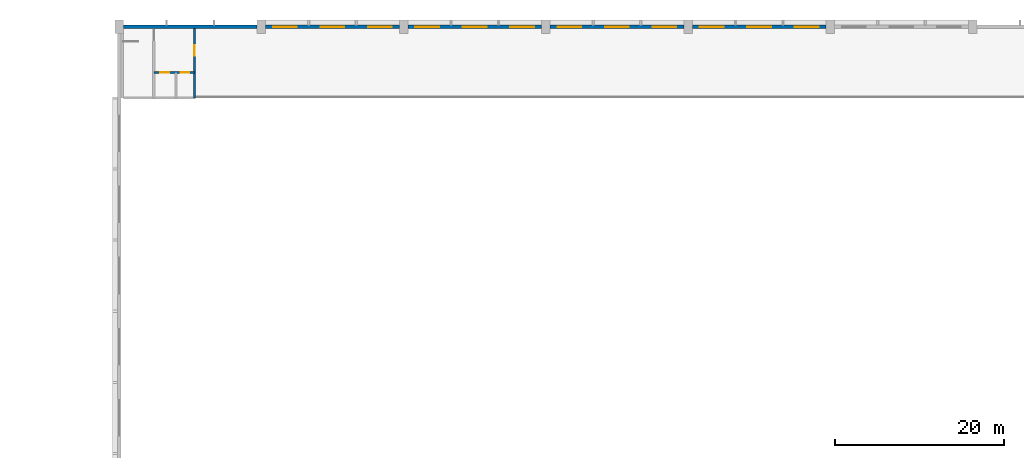
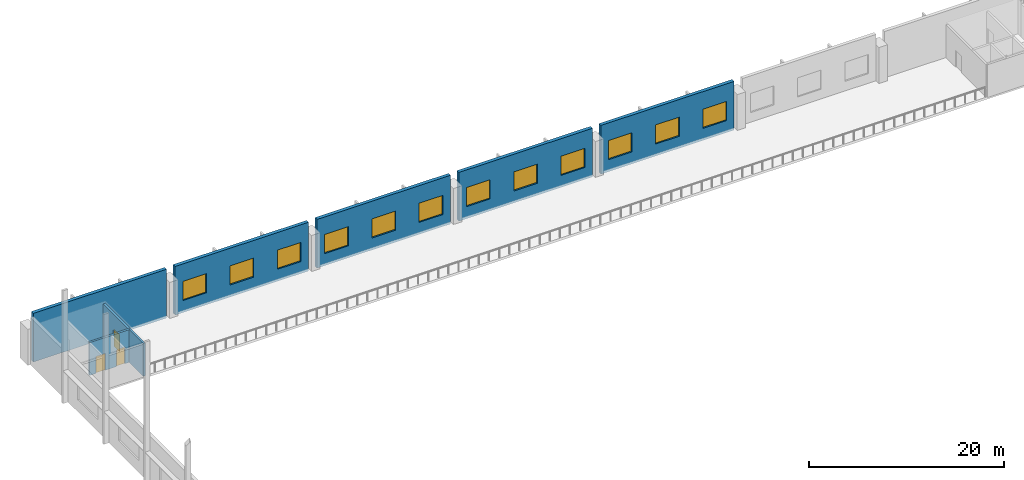
# One storey, part 92 of 162: 12 windows, 7 walls, 3 doors, 15 openings.
"""IFC4 building model written with IfcOpenShell, lengths in metres."""

from ifc_helpers import new_model, si_unit, direction, frame, frame_2d, origin, place, context, subcontext, project, spatial, rectangle, extrude, material, layer, layer_set, type_object, element, fill, save


model = new_model("IFC4")

# Units and contexts
model_context = context("Model", 3, precision=1e-05, world=origin(), true_north=direction((0.0, 1.0)))
body_context = subcontext(model_context, "Body", "Model", "MODEL_VIEW")
ifc_project = project(units=[si_unit("LENGTHUNIT", "METRE"), si_unit("AREAUNIT", "SQUARE_METRE"), si_unit("VOLUMEUNIT", "CUBIC_METRE"), si_unit("PLANEANGLEUNIT", "RADIAN"), si_unit("MASSUNIT", "GRAM", prefix="KILO")], contexts=[model_context])

# Site, building, storey
site_placement = place(None, origin())
site = spatial("IfcSite", under=ifc_project, at=site_placement, CompositionType="ELEMENT")
building_placement = place(site_placement, origin())
building = spatial("IfcBuilding", under=site, at=building_placement, Name="Rain Tree Exposition and Congress Centre", CompositionType="ELEMENT")
storey_placement = place(building_placement, frame((0.0, 0.0, 6.0)))
storey = spatial("IfcBuildingStorey", under=building, at=storey_placement, Name="L01", CompositionType="ELEMENT", Elevation=6.0)

# Wall, opening, door
ifc_material_1 = material(Name="Concrete C40/50", Category="concrete")
ifc_layer_1 = layer(ifc_material_1, 0.25)
ifc_layer_set_1 = layer_set([ifc_layer_1], Name="Concrete C40/50")
wall_type_1 = type_object("IfcWallType", Name="Core wall 250", PredefinedType="SHEAR", material=ifc_layer_set_1)
wall_1_placement = place(storey_placement, frame((17.300048828125, 201.39990234375, 0.0), z_axis=(0.0, 0.0, 1.0), x_axis=(0.0, -1.0, 0.0)))
wall_1 = element("IfcWall", 1, at=wall_1_placement, inside=storey, type_object=wall_type_1, Name="Core east wall 3", PredefinedType="SHEAR", context=body_context, shape_type="SweptSolid", body=[
    extrude(rectangle(XDim=8.199951171875, YDim=0.25, at=frame_2d((4.10009765625, 0.0))), origin(), (0.0, 0.0, 1.0), 4.10009765625),
])
opening_1_placement = place(wall_1_placement, frame((2.0, 0.0, 0.0)))
opening_1 = element("IfcOpeningElement", 2, at=opening_1_placement, cuts=wall_1, Name="Opening DH202", PredefinedType="OPENING", context=body_context, shape_type="SweptSolid", body=[
    extrude(rectangle(XDim=1.199951171875, YDim=2.10009765625, at=frame_2d((0.60009765625, 1.050048828125))), frame((0.0, 0.125, 0.0), z_axis=(0.0, -1.0, 0.0), x_axis=(1.0, 0.0, 0.0)), (0.0, 0.0, 1.0), 0.25),
])
ifc_material_2 = material(Name="Painted steel fire door", Category="steel")
door_type_1 = type_object("IfcDoorType", Name="Lobby fire door 1200x2100", OperationType="NOTDEFINED", PredefinedType="DOOR", material=ifc_material_2)
door_1_placement = place(opening_1_placement, origin())
door_1 = element("IfcDoor", 3, at=door_1_placement, inside=storey, type_object=door_type_1, Name="Door DH202", OperationType="SINGLE_SWING_LEFT", OverallHeight=2.10009765625, OverallWidth=1.199951171875, PredefinedType="DOOR", context=body_context, shape_type="SweptSolid", body=[
    extrude(rectangle(XDim=1.199951171875, YDim=2.10009765625, at=frame_2d((0.60009765625, 1.050048828125))), frame((0.0, 0.02490234375, 0.0), z_axis=(0.0, -1.0, 0.0), x_axis=(1.0, 0.0, 0.0)), (0.0, 0.0, 1.0), 0.050048828125),
])
fill(opening_1, door_1)

# Wall, openings, doors
wall_2_placement = place(storey_placement, frame((12.5, 196.199951171875, 0.0), z_axis=(0.0, 0.0, 1.0), x_axis=(1.0, 0.0, 0.0)))
wall_2 = element("IfcWall", 4, at=wall_2_placement, inside=storey, type_object=wall_type_1, Name="Lift lobby wall 3", PredefinedType="SHEAR", context=body_context, shape_type="SweptSolid", body=[
    extrude(rectangle(XDim=4.800048828125, YDim=0.25, at=frame_2d((2.39990234375, 0.0))), origin(), (0.0, 0.0, 1.0), 4.10009765625),
])
opening_2_placement = place(wall_2_placement, frame((0.75, 0.0, 0.0)))
opening_2 = element("IfcOpeningElement", 5, at=opening_2_placement, cuts=wall_2, Name="Opening DH203", PredefinedType="OPENING", context=body_context, shape_type="SweptSolid", body=[
    extrude(rectangle(XDim=1.10009765625, YDim=2.10009765625, at=frame_2d((0.550048828125, 1.050048828125))), frame((0.0, 0.125, 0.0), z_axis=(0.0, -1.0, 0.0), x_axis=(1.0, 0.0, 0.0)), (0.0, 0.0, 1.0), 0.25),
])
opening_3_placement = place(wall_2_placement, frame((3.199951171875, 0.0, 0.0)))
opening_3 = element("IfcOpeningElement", 6, at=opening_3_placement, cuts=wall_2, Name="Opening DH204", PredefinedType="OPENING", context=body_context, shape_type="SweptSolid", body=[
    extrude(rectangle(XDim=1.0, YDim=2.10009765625, at=frame_2d((0.5, 1.050048828125))), frame((0.0, 0.125, 0.0), z_axis=(0.0, -1.0, 0.0), x_axis=(1.0, 0.0, 0.0)), (0.0, 0.0, 1.0), 0.25),
])
ifc_material_3 = material(Name="Stainless steel", Category="steel")
door_type_2 = type_object("IfcDoorType", Name="Lift landing door 1100x2100", OperationType="DOUBLE_DOOR_SLIDING", PredefinedType="DOOR", material=ifc_material_3)
door_2_placement = place(opening_2_placement, origin())
door_2 = element("IfcDoor", 7, at=door_2_placement, inside=storey, type_object=door_type_2, Name="Door DH203", OperationType="DOUBLE_DOOR_SLIDING", OverallHeight=2.10009765625, OverallWidth=1.10009765625, PredefinedType="DOOR", context=body_context, shape_type="SweptSolid", body=[
    extrude(rectangle(XDim=1.10009765625, YDim=2.10009765625, at=frame_2d((0.550048828125, 1.050048828125))), frame((0.0, 0.02490234375, 0.0), z_axis=(0.0, -1.0, 0.0), x_axis=(1.0, 0.0, 0.0)), (0.0, 0.0, 1.0), 0.050048828125),
])
fill(opening_2, door_2)
ifc_material_4 = material(Name="Painted steel door", Category="steel")
door_type_3 = type_object("IfcDoorType", Name="Single leaf door 1000x2100", OperationType="NOTDEFINED", PredefinedType="DOOR", material=ifc_material_4)
door_3_placement = place(opening_3_placement, origin())
door_3 = element("IfcDoor", 8, at=door_3_placement, inside=storey, type_object=door_type_3, Name="Door DH204", OperationType="SINGLE_SWING_RIGHT", OverallHeight=2.10009765625, OverallWidth=1.0, PredefinedType="DOOR", context=body_context, shape_type="SweptSolid", body=[
    extrude(rectangle(XDim=1.0, YDim=2.10009765625, at=frame_2d((0.5, 1.050048828125))), frame((0.0, 0.02490234375, 0.0), z_axis=(0.0, -1.0, 0.0), x_axis=(1.0, 0.0, 0.0)), (0.0, 0.0, 1.0), 0.050048828125),
])
fill(opening_3, door_3)

# Wall
ifc_material_5 = material(Name="Precast concrete C50/60", Category="concrete")
ifc_layer_2 = layer(ifc_material_5, 0.39990234375)
ifc_layer_set_2 = layer_set([ifc_layer_2], Name="Precast concrete C50/60")
wall_type_2 = type_object("IfcWallType", Name="Hall precast wall 400", PredefinedType="STANDARD", material=ifc_layer_set_2)
wall_3_placement = place(storey_placement, frame((8.89990234375, 201.60009765625, -0.300048828125), z_axis=(0.0, 0.0, 1.0), x_axis=(1.0, 0.0, 0.0)))
element("IfcWall", 9, at=wall_3_placement, inside=storey, type_object=wall_type_2, Name="Cladding wall N1", PredefinedType="STANDARD", context=body_context, shape_type="SweptSolid", body=[
    extrude(rectangle(XDim=15.800048828125, YDim=0.39990234375, at=frame_2d((7.89990234375, 0.0))), origin(), (0.0, 0.0, 1.0), 6.10009765625),
])

# Wall, openings, windows
wall_4_placement = place(storey_placement, frame((25.699951171875, 201.60009765625, -0.300048828125), z_axis=(0.0, 0.0, 1.0), x_axis=(1.0, 0.0, 0.0)))
wall_4 = element("IfcWall", 10, at=wall_4_placement, inside=storey, type_object=wall_type_2, Name="Cladding wall N2", PredefinedType="STANDARD", context=body_context, shape_type="SweptSolid", body=[
    extrude(rectangle(XDim=15.800048828125, YDim=0.39990234375, at=frame_2d((7.89990234375, 0.0))), origin(), (0.0, 0.0, 1.0), 6.10009765625),
])
opening_4_placement = place(wall_4_placement, frame((0.89990234375, 0.0, 1.5)))
opening_4 = element("IfcOpeningElement", 11, at=opening_4_placement, cuts=wall_4, Name="Opening WH001", PredefinedType="OPENING", context=body_context, shape_type="SweptSolid", body=[
    extrude(rectangle(XDim=2.800048828125, YDim=2.39990234375, at=frame_2d((1.39990234375, 1.199951171875))), frame((0.0, 0.199951171875, 0.0), z_axis=(0.0, -1.0, 0.0), x_axis=(1.0, 0.0, 0.0)), (0.0, 0.0, 1.0), 0.39990234375),
])
opening_5_placement = place(wall_4_placement, frame((6.5, 0.0, 1.5)))
opening_5 = element("IfcOpeningElement", 12, at=opening_5_placement, cuts=wall_4, Name="Opening WH002", PredefinedType="OPENING", context=body_context, shape_type="SweptSolid", body=[
    extrude(rectangle(XDim=2.800048828125, YDim=2.39990234375, at=frame_2d((1.39990234375, 1.199951171875))), frame((0.0, 0.199951171875, 0.0), z_axis=(0.0, -1.0, 0.0), x_axis=(1.0, 0.0, 0.0)), (0.0, 0.0, 1.0), 0.39990234375),
])
opening_6_placement = place(wall_4_placement, frame((12.10009765625, 0.0, 1.5)))
opening_6 = element("IfcOpeningElement", 13, at=opening_6_placement, cuts=wall_4, Name="Opening WH003", PredefinedType="OPENING", context=body_context, shape_type="SweptSolid", body=[
    extrude(rectangle(XDim=2.800048828125, YDim=2.39990234375, at=frame_2d((1.39990234375, 1.199951171875))), frame((0.0, 0.199951171875, 0.0), z_axis=(0.0, -1.0, 0.0), x_axis=(1.0, 0.0, 0.0)), (0.0, 0.0, 1.0), 0.39990234375),
])
ifc_material_6 = material(Name="Aluminium framed glazing", Category="aluminium")
window_type = type_object("IfcWindowType", Name="Hall gallery window 2800x2400", PartitioningType="SINGLE_PANEL", PredefinedType="WINDOW", material=ifc_material_6)
window_1_placement = place(opening_4_placement, origin())
window_1 = element("IfcWindow", 14, at=window_1_placement, inside=storey, type_object=window_type, Name="Window WH001", OverallHeight=2.39990234375, OverallWidth=2.800048828125, PartitioningType="SINGLE_PANEL", PredefinedType="WINDOW", context=body_context, shape_type="SweptSolid", body=[
    extrude(rectangle(XDim=2.800048828125, YDim=2.39990234375, at=frame_2d((1.39990234375, 1.199951171875))), frame((0.0, 0.030029296875, 0.0), z_axis=(0.0, -1.0, 0.0), x_axis=(1.0, 0.0, 0.0)), (0.0, 0.0, 1.0), 0.06005859375),
])
fill(opening_4, window_1)
window_2_placement = place(opening_5_placement, origin())
window_2 = element("IfcWindow", 15, at=window_2_placement, inside=storey, type_object=window_type, Name="Window WH002", OverallHeight=2.39990234375, OverallWidth=2.800048828125, PartitioningType="SINGLE_PANEL", PredefinedType="WINDOW", context=body_context, shape_type="SweptSolid", body=[
    extrude(rectangle(XDim=2.800048828125, YDim=2.39990234375, at=frame_2d((1.39990234375, 1.199951171875))), frame((0.0, 0.030029296875, 0.0), z_axis=(0.0, -1.0, 0.0), x_axis=(1.0, 0.0, 0.0)), (0.0, 0.0, 1.0), 0.06005859375),
])
fill(opening_5, window_2)
window_3_placement = place(opening_6_placement, origin())
window_3 = element("IfcWindow", 16, at=window_3_placement, inside=storey, type_object=window_type, Name="Window WH003", OverallHeight=2.39990234375, OverallWidth=2.800048828125, PartitioningType="SINGLE_PANEL", PredefinedType="WINDOW", context=body_context, shape_type="SweptSolid", body=[
    extrude(rectangle(XDim=2.800048828125, YDim=2.39990234375, at=frame_2d((1.39990234375, 1.199951171875))), frame((0.0, 0.030029296875, 0.0), z_axis=(0.0, -1.0, 0.0), x_axis=(1.0, 0.0, 0.0)), (0.0, 0.0, 1.0), 0.06005859375),
])
fill(opening_6, window_3)

wall_5_placement = place(storey_placement, frame((42.5, 201.60009765625, -0.300048828125), z_axis=(0.0, 0.0, 1.0), x_axis=(1.0, 0.0, 0.0)))
wall_5 = element("IfcWall", 17, at=wall_5_placement, inside=storey, type_object=wall_type_2, Name="Cladding wall N3", PredefinedType="STANDARD", context=body_context, shape_type="SweptSolid", body=[
    extrude(rectangle(XDim=15.800048828125, YDim=0.39990234375, at=frame_2d((7.89990234375, 0.0))), origin(), (0.0, 0.0, 1.0), 6.10009765625),
])
opening_7_placement = place(wall_5_placement, frame((0.89990234375, 0.0, 1.5)))
opening_7 = element("IfcOpeningElement", 18, at=opening_7_placement, cuts=wall_5, Name="Opening WH004", PredefinedType="OPENING", context=body_context, shape_type="SweptSolid", body=[
    extrude(rectangle(XDim=2.800048828125, YDim=2.39990234375, at=frame_2d((1.39990234375, 1.199951171875))), frame((0.0, 0.199951171875, 0.0), z_axis=(0.0, -1.0, 0.0), x_axis=(1.0, 0.0, 0.0)), (0.0, 0.0, 1.0), 0.39990234375),
])
opening_8_placement = place(wall_5_placement, frame((6.5, 0.0, 1.5)))
opening_8 = element("IfcOpeningElement", 19, at=opening_8_placement, cuts=wall_5, Name="Opening WH005", PredefinedType="OPENING", context=body_context, shape_type="SweptSolid", body=[
    extrude(rectangle(XDim=2.800048828125, YDim=2.39990234375, at=frame_2d((1.39990234375, 1.199951171875))), frame((0.0, 0.199951171875, 0.0), z_axis=(0.0, -1.0, 0.0), x_axis=(1.0, 0.0, 0.0)), (0.0, 0.0, 1.0), 0.39990234375),
])
opening_9_placement = place(wall_5_placement, frame((12.10009765625, 0.0, 1.5)))
opening_9 = element("IfcOpeningElement", 20, at=opening_9_placement, cuts=wall_5, Name="Opening WH006", PredefinedType="OPENING", context=body_context, shape_type="SweptSolid", body=[
    extrude(rectangle(XDim=2.800048828125, YDim=2.39990234375, at=frame_2d((1.39990234375, 1.199951171875))), frame((0.0, 0.199951171875, 0.0), z_axis=(0.0, -1.0, 0.0), x_axis=(1.0, 0.0, 0.0)), (0.0, 0.0, 1.0), 0.39990234375),
])
window_4_placement = place(opening_7_placement, origin())
window_4 = element("IfcWindow", 21, at=window_4_placement, inside=storey, type_object=window_type, Name="Window WH004", OverallHeight=2.39990234375, OverallWidth=2.800048828125, PartitioningType="SINGLE_PANEL", PredefinedType="WINDOW", context=body_context, shape_type="SweptSolid", body=[
    extrude(rectangle(XDim=2.800048828125, YDim=2.39990234375, at=frame_2d((1.39990234375, 1.199951171875))), frame((0.0, 0.030029296875, 0.0), z_axis=(0.0, -1.0, 0.0), x_axis=(1.0, 0.0, 0.0)), (0.0, 0.0, 1.0), 0.06005859375),
])
fill(opening_7, window_4)
window_5_placement = place(opening_8_placement, origin())
window_5 = element("IfcWindow", 22, at=window_5_placement, inside=storey, type_object=window_type, Name="Window WH005", OverallHeight=2.39990234375, OverallWidth=2.800048828125, PartitioningType="SINGLE_PANEL", PredefinedType="WINDOW", context=body_context, shape_type="SweptSolid", body=[
    extrude(rectangle(XDim=2.800048828125, YDim=2.39990234375, at=frame_2d((1.39990234375, 1.199951171875))), frame((0.0, 0.030029296875, 0.0), z_axis=(0.0, -1.0, 0.0), x_axis=(1.0, 0.0, 0.0)), (0.0, 0.0, 1.0), 0.06005859375),
])
fill(opening_8, window_5)
window_6_placement = place(opening_9_placement, origin())
window_6 = element("IfcWindow", 23, at=window_6_placement, inside=storey, type_object=window_type, Name="Window WH006", OverallHeight=2.39990234375, OverallWidth=2.800048828125, PartitioningType="SINGLE_PANEL", PredefinedType="WINDOW", context=body_context, shape_type="SweptSolid", body=[
    extrude(rectangle(XDim=2.800048828125, YDim=2.39990234375, at=frame_2d((1.39990234375, 1.199951171875))), frame((0.0, 0.030029296875, 0.0), z_axis=(0.0, -1.0, 0.0), x_axis=(1.0, 0.0, 0.0)), (0.0, 0.0, 1.0), 0.06005859375),
])
fill(opening_9, window_6)

wall_6_placement = place(storey_placement, frame((59.300048828125, 201.60009765625, -0.300048828125), z_axis=(0.0, 0.0, 1.0), x_axis=(1.0, 0.0, 0.0)))
wall_6 = element("IfcWall", 24, at=wall_6_placement, inside=storey, type_object=wall_type_2, Name="Cladding wall N4", PredefinedType="STANDARD", context=body_context, shape_type="SweptSolid", body=[
    extrude(rectangle(XDim=15.800048828125, YDim=0.39990234375, at=frame_2d((7.89990234375, 0.0))), origin(), (0.0, 0.0, 1.0), 6.10009765625),
])
opening_10_placement = place(wall_6_placement, frame((0.89990234375, 0.0, 1.5)))
opening_10 = element("IfcOpeningElement", 25, at=opening_10_placement, cuts=wall_6, Name="Opening WH007", PredefinedType="OPENING", context=body_context, shape_type="SweptSolid", body=[
    extrude(rectangle(XDim=2.800048828125, YDim=2.39990234375, at=frame_2d((1.39990234375, 1.199951171875))), frame((0.0, 0.199951171875, 0.0), z_axis=(0.0, -1.0, 0.0), x_axis=(1.0, 0.0, 0.0)), (0.0, 0.0, 1.0), 0.39990234375),
])
opening_11_placement = place(wall_6_placement, frame((6.5, 0.0, 1.5)))
opening_11 = element("IfcOpeningElement", 26, at=opening_11_placement, cuts=wall_6, Name="Opening WH008", PredefinedType="OPENING", context=body_context, shape_type="SweptSolid", body=[
    extrude(rectangle(XDim=2.800048828125, YDim=2.39990234375, at=frame_2d((1.39990234375, 1.199951171875))), frame((0.0, 0.199951171875, 0.0), z_axis=(0.0, -1.0, 0.0), x_axis=(1.0, 0.0, 0.0)), (0.0, 0.0, 1.0), 0.39990234375),
])
opening_12_placement = place(wall_6_placement, frame((12.10009765625, 0.0, 1.5)))
opening_12 = element("IfcOpeningElement", 27, at=opening_12_placement, cuts=wall_6, Name="Opening WH009", PredefinedType="OPENING", context=body_context, shape_type="SweptSolid", body=[
    extrude(rectangle(XDim=2.800048828125, YDim=2.39990234375, at=frame_2d((1.39990234375, 1.199951171875))), frame((0.0, 0.199951171875, 0.0), z_axis=(0.0, -1.0, 0.0), x_axis=(1.0, 0.0, 0.0)), (0.0, 0.0, 1.0), 0.39990234375),
])
window_7_placement = place(opening_10_placement, origin())
window_7 = element("IfcWindow", 28, at=window_7_placement, inside=storey, type_object=window_type, Name="Window WH007", OverallHeight=2.39990234375, OverallWidth=2.800048828125, PartitioningType="SINGLE_PANEL", PredefinedType="WINDOW", context=body_context, shape_type="SweptSolid", body=[
    extrude(rectangle(XDim=2.800048828125, YDim=2.39990234375, at=frame_2d((1.39990234375, 1.199951171875))), frame((0.0, 0.030029296875, 0.0), z_axis=(0.0, -1.0, 0.0), x_axis=(1.0, 0.0, 0.0)), (0.0, 0.0, 1.0), 0.06005859375),
])
fill(opening_10, window_7)
window_8_placement = place(opening_11_placement, origin())
window_8 = element("IfcWindow", 29, at=window_8_placement, inside=storey, type_object=window_type, Name="Window WH008", OverallHeight=2.39990234375, OverallWidth=2.800048828125, PartitioningType="SINGLE_PANEL", PredefinedType="WINDOW", context=body_context, shape_type="SweptSolid", body=[
    extrude(rectangle(XDim=2.800048828125, YDim=2.39990234375, at=frame_2d((1.39990234375, 1.199951171875))), frame((0.0, 0.030029296875, 0.0), z_axis=(0.0, -1.0, 0.0), x_axis=(1.0, 0.0, 0.0)), (0.0, 0.0, 1.0), 0.06005859375),
])
fill(opening_11, window_8)
window_9_placement = place(opening_12_placement, origin())
window_9 = element("IfcWindow", 30, at=window_9_placement, inside=storey, type_object=window_type, Name="Window WH009", OverallHeight=2.39990234375, OverallWidth=2.800048828125, PartitioningType="SINGLE_PANEL", PredefinedType="WINDOW", context=body_context, shape_type="SweptSolid", body=[
    extrude(rectangle(XDim=2.800048828125, YDim=2.39990234375, at=frame_2d((1.39990234375, 1.199951171875))), frame((0.0, 0.030029296875, 0.0), z_axis=(0.0, -1.0, 0.0), x_axis=(1.0, 0.0, 0.0)), (0.0, 0.0, 1.0), 0.06005859375),
])
fill(opening_12, window_9)

wall_7_placement = place(storey_placement, frame((76.10009765625, 201.60009765625, -0.300048828125), z_axis=(0.0, 0.0, 1.0), x_axis=(1.0, 0.0, 0.0)))
wall_7 = element("IfcWall", 31, at=wall_7_placement, inside=storey, type_object=wall_type_2, Name="Cladding wall N5", PredefinedType="STANDARD", context=body_context, shape_type="SweptSolid", body=[
    extrude(rectangle(XDim=15.7998046875, YDim=0.39990234375, at=frame_2d((7.89990234375, 0.0))), origin(), (0.0, 0.0, 1.0), 6.10009765625),
])
opening_13_placement = place(wall_7_placement, frame((0.89990234375, 0.0, 1.5)))
opening_13 = element("IfcOpeningElement", 32, at=opening_13_placement, cuts=wall_7, Name="Opening WH010", PredefinedType="OPENING", context=body_context, shape_type="SweptSolid", body=[
    extrude(rectangle(XDim=2.800048828125, YDim=2.39990234375, at=frame_2d((1.39990234375, 1.199951171875))), frame((0.0, 0.199951171875, 0.0), z_axis=(0.0, -1.0, 0.0), x_axis=(1.0, 0.0, 0.0)), (0.0, 0.0, 1.0), 0.39990234375),
])
opening_14_placement = place(wall_7_placement, frame((6.5, 0.0, 1.5)))
opening_14 = element("IfcOpeningElement", 33, at=opening_14_placement, cuts=wall_7, Name="Opening WH011", PredefinedType="OPENING", context=body_context, shape_type="SweptSolid", body=[
    extrude(rectangle(XDim=2.800048828125, YDim=2.39990234375, at=frame_2d((1.39990234375, 1.199951171875))), frame((0.0, 0.199951171875, 0.0), z_axis=(0.0, -1.0, 0.0), x_axis=(1.0, 0.0, 0.0)), (0.0, 0.0, 1.0), 0.39990234375),
])
opening_15_placement = place(wall_7_placement, frame((12.10009765625, 0.0, 1.5)))
opening_15 = element("IfcOpeningElement", 34, at=opening_15_placement, cuts=wall_7, Name="Opening WH012", PredefinedType="OPENING", context=body_context, shape_type="SweptSolid", body=[
    extrude(rectangle(XDim=2.800048828125, YDim=2.39990234375, at=frame_2d((1.39990234375, 1.199951171875))), frame((0.0, 0.199951171875, 0.0), z_axis=(0.0, -1.0, 0.0), x_axis=(1.0, 0.0, 0.0)), (0.0, 0.0, 1.0), 0.39990234375),
])
window_10_placement = place(opening_13_placement, origin())
window_10 = element("IfcWindow", 35, at=window_10_placement, inside=storey, type_object=window_type, Name="Window WH010", OverallHeight=2.39990234375, OverallWidth=2.800048828125, PartitioningType="SINGLE_PANEL", PredefinedType="WINDOW", context=body_context, shape_type="SweptSolid", body=[
    extrude(rectangle(XDim=2.800048828125, YDim=2.39990234375, at=frame_2d((1.39990234375, 1.199951171875))), frame((0.0, 0.030029296875, 0.0), z_axis=(0.0, -1.0, 0.0), x_axis=(1.0, 0.0, 0.0)), (0.0, 0.0, 1.0), 0.06005859375),
])
fill(opening_13, window_10)
window_11_placement = place(opening_14_placement, origin())
window_11 = element("IfcWindow", 36, at=window_11_placement, inside=storey, type_object=window_type, Name="Window WH011", OverallHeight=2.39990234375, OverallWidth=2.800048828125, PartitioningType="SINGLE_PANEL", PredefinedType="WINDOW", context=body_context, shape_type="SweptSolid", body=[
    extrude(rectangle(XDim=2.800048828125, YDim=2.39990234375, at=frame_2d((1.39990234375, 1.199951171875))), frame((0.0, 0.030029296875, 0.0), z_axis=(0.0, -1.0, 0.0), x_axis=(1.0, 0.0, 0.0)), (0.0, 0.0, 1.0), 0.06005859375),
])
fill(opening_14, window_11)
window_12_placement = place(opening_15_placement, origin())
window_12 = element("IfcWindow", 37, at=window_12_placement, inside=storey, type_object=window_type, Name="Window WH012", OverallHeight=2.39990234375, OverallWidth=2.800048828125, PartitioningType="SINGLE_PANEL", PredefinedType="WINDOW", context=body_context, shape_type="SweptSolid", body=[
    extrude(rectangle(XDim=2.800048828125, YDim=2.39990234375, at=frame_2d((1.39990234375, 1.199951171875))), frame((0.0, 0.030029296875, 0.0), z_axis=(0.0, -1.0, 0.0), x_axis=(1.0, 0.0, 0.0)), (0.0, 0.0, 1.0), 0.06005859375),
])
fill(opening_15, window_12)

save(model, "model.ifc")
